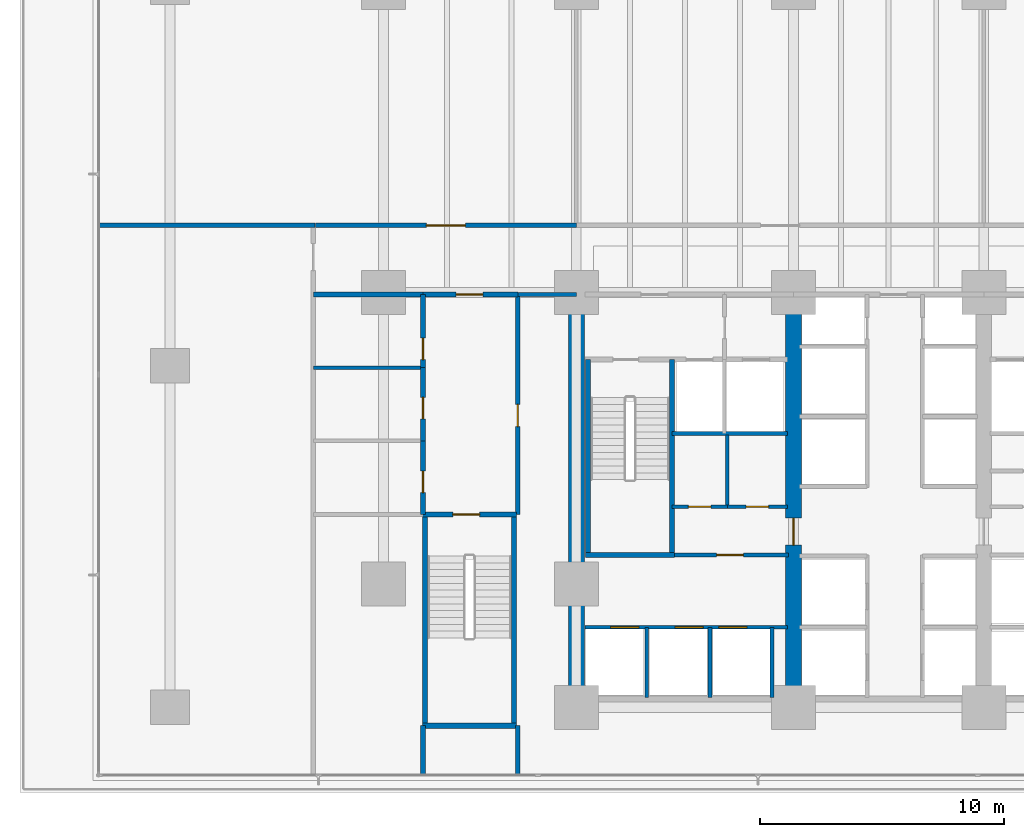
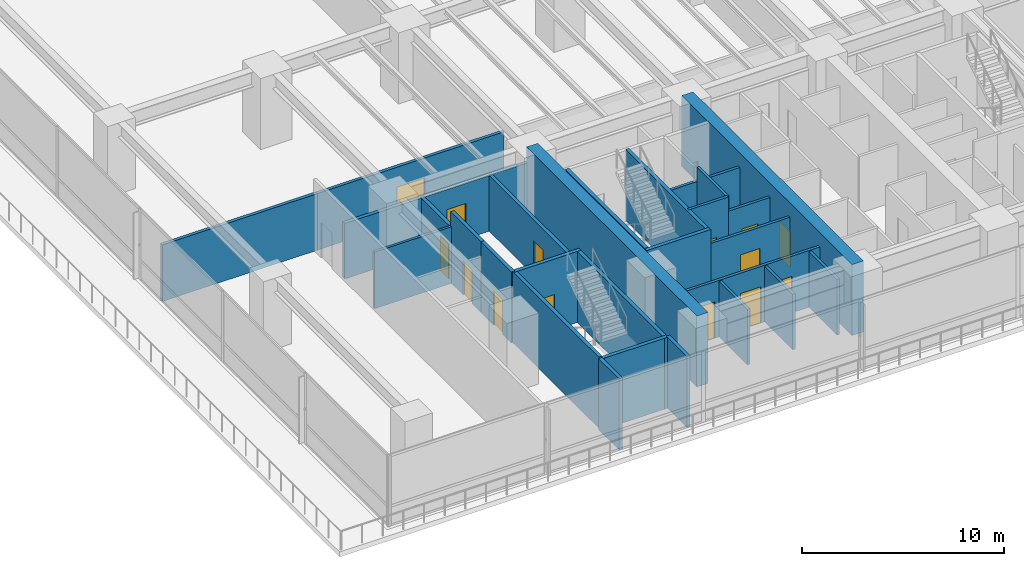
# One storey, part 10 of 28: 30 walls, 14 doors, 14 openings.
"""IFC4 building model written with IfcOpenShell, lengths in metres."""

from ifc_helpers import new_model, si_unit, direction, frame, frame_2d, origin, place, context, subcontext, project, spatial, rectangle, extrude, material, layer, layer_set, type_object, element, fill, save


model = new_model("IFC4")

# Units and contexts
model_context = context("Model", 3, precision=1e-05, world=origin(), true_north=direction((0.0, 1.0)))
body_context = subcontext(model_context, "Body", "Model", "MODEL_VIEW")
ifc_project = project(units=[si_unit("LENGTHUNIT", "METRE"), si_unit("AREAUNIT", "SQUARE_METRE"), si_unit("VOLUMEUNIT", "CUBIC_METRE"), si_unit("PLANEANGLEUNIT", "RADIAN"), si_unit("MASSUNIT", "GRAM", prefix="KILO")], contexts=[model_context])

# Site, building, storey
site_placement = place(None, origin())
site = spatial("IfcSite", under=ifc_project, at=site_placement, CompositionType="ELEMENT")
building_placement = place(site_placement, origin())
building = spatial("IfcBuilding", under=site, at=building_placement, Name="Qalmaran Belvedere Hotel", CompositionType="ELEMENT")
storey_placement = place(building_placement, frame((0.0, 0.0, 10.0)))
storey = spatial("IfcBuildingStorey", under=building, at=storey_placement, Name="L02", CompositionType="ELEMENT", Elevation=10.0)

# Wall
ifc_material_1 = material(Name="Concrete C60/75", Category="concrete")
ifc_layer_1 = layer(ifc_material_1, 0.64990234375, Name="Concrete C60/75")
ifc_layer_set_1 = layer_set([ifc_layer_1], Name="Concrete C60/75")
wall_type_1 = type_object("IfcWallType", Name="WL-CORE-650-C60", PredefinedType="SHEAR", material=ifc_layer_set_1)
wall_1_placement = place(storey_placement, frame((20.300048828125, 3.5, 0.0), z_axis=(0.0, 0.0, 1.0), x_axis=(0.0, 1.0, 0.0)))
element("IfcWall", 1, at=wall_1_placement, inside=storey, type_object=wall_type_1, Name="L02 West Core Shear Wall", PredefinedType="SHEAR", context=body_context, shape_type="SweptSolid", body=[
    extrude(rectangle(XDim=16.89990234375, YDim=0.64990234375, at=frame_2d((8.449951171875, 0.0))), origin(), (0.0, 0.0, 1.0), 4.300048828125),
])

# Wall, opening, door
wall_2_placement = place(storey_placement, frame((29.199951171875, 3.5, 0.0), z_axis=(0.0, 0.0, 1.0), x_axis=(0.0, 1.0, 0.0)))
wall_2 = element("IfcWall", 2, at=wall_2_placement, inside=storey, type_object=wall_type_1, Name="L02 Core West Spine Shear Wall", PredefinedType="SHEAR", context=body_context, shape_type="SweptSolid", body=[
    extrude(rectangle(XDim=16.89990234375, YDim=0.64990234375, at=frame_2d((8.449951171875, 0.0))), origin(), (0.0, 0.0, 1.0), 4.300048828125),
])
opening_1_placement = place(wall_2_placement, frame((7.75, 0.0, 0.0), z_axis=(0.0, 0.0, 1.0), x_axis=(-1.0, 0.0, 0.0)))
opening_1 = element("IfcOpeningElement", 3, at=opening_1_placement, cuts=wall_2, Name="Opening FD90", PredefinedType="OPENING", context=body_context, shape_type="SweptSolid", body=[
    extrude(rectangle(XDim=1.10009765625, YDim=2.14990234375, at=frame_2d((0.550048828125, 1.074951171875))), frame((0.0, 0.3349609375, 0.0), z_axis=(0.0, -1.0, 0.0), x_axis=(1.0, 0.0, 0.0)), (0.0, 0.0, 1.0), 0.669921875),
])
ifc_material_2 = material(Name="Steel S355JR", Category="steel")
door_type_1 = type_object("IfcDoorType", Name="DR-FD90-1100X2150", OperationType="NOTDEFINED", PredefinedType="DOOR", material=ifc_material_2)
door_1_placement = place(opening_1_placement, origin())
door_1 = element("IfcDoor", 4, at=door_1_placement, inside=storey, type_object=door_type_1, Name="L02 Core West Cross-Lobby Door", OperationType="SINGLE_SWING_RIGHT", OverallHeight=2.14990234375, OverallWidth=1.10009765625, PredefinedType="DOOR", context=body_context, shape_type="SweptSolid", body=[
    extrude(rectangle(XDim=1.10009765625, YDim=2.14990234375, at=frame_2d((0.550048828125, 1.074951171875))), frame((0.0, 0.02490234375, 0.0), z_axis=(0.0, -1.0, 0.0), x_axis=(1.0, 0.0, 0.0)), (0.0, 0.0, 1.0), 0.050048828125),
])
fill(opening_1, door_1)

# Walls
ifc_material_3 = material(Name="Gypsum Stud Partition")
ifc_layer_2 = layer(ifc_material_3, 0.139892578125, Name="Gypsum Stud Partition")
ifc_layer_set_2 = layer_set([ifc_layer_2], Name="Gypsum Stud Partition")
wall_type_2 = type_object("IfcWallType", Name="WL-INT-140-NR", PredefinedType="PARTITIONING", material=ifc_layer_set_2)
wall_3_placement = place(storey_placement, frame((9.52001953125, 17.419921875, 0.0), z_axis=(0.0, 0.0, 1.0), x_axis=(1.0, 0.0, 0.0)))
element("IfcWall", 5, at=wall_3_placement, inside=storey, type_object=wall_type_2, Name="L02 Partition WL-L02-WC2", PredefinedType="PARTITIONING", context=body_context, shape_type="SweptSolid", body=[
    extrude(rectangle(XDim=4.5, YDim=0.139892578125, at=frame_2d((2.25, 0.0))), origin(), (0.0, 0.0, 1.0), 3.429931640625),
])
ifc_layer_3 = layer(ifc_material_3, 0.14990234375, Name="Gypsum Stud Partition")
ifc_layer_set_3 = layer_set([ifc_layer_3], Name="Gypsum Stud Partition")
wall_type_3 = type_object("IfcWallType", Name="WL-INT-150-EI120", PredefinedType="PARTITIONING", material=ifc_layer_set_3)
for number, where, z_axis, x_axis, name in (
    (6, (23.179931640625, 3.89990234375, 0.0), (0.0, 0.0, 1.0), (0.0, 1.0, 0.0), "L02 Partition WL-POM1-L02"),
    (7, (25.780029296875, 3.89990234375, 0.0), (0.0, 0.0, 1.0), (0.0, 1.0, 0.0), "L02 Partition WL-POM2-L02"),
    (8, (28.320068359375, 3.89990234375, 0.0), (0.0, 0.0, 1.0), (0.0, 1.0, 0.0), "L02 Partition WL-POM3-L02"),
):
    element("IfcWall", number, at=place(storey_placement, frame(where, z_axis=z_axis, x_axis=x_axis)), inside=storey, type_object=wall_type_3, Name=name, PredefinedType="PARTITIONING", context=body_context, shape_type="SweptSolid", body=[
        extrude(rectangle(XDim=2.880126953125, YDim=0.14990234375, at=frame_2d((1.43994140625, 0.0))), origin(), (0.0, 0.0, 1.0), 3.364013671875),
    ])
ifc_layer_4 = layer(ifc_material_3, 0.14990234375, Name="Gypsum Stud Partition")
ifc_layer_set_4 = layer_set([ifc_layer_4], Name="Gypsum Stud Partition")
wall_type_4 = type_object("IfcWallType", Name="WL-INT-150-EI60", PredefinedType="PARTITIONING", material=ifc_layer_set_4)
wall_4_placement = place(storey_placement, frame((26.490478515625, 11.719970703125, 0.0), z_axis=(0.0, 0.0, 1.0), x_axis=(0.0, 1.0, 0.0)))
element("IfcWall", 9, at=wall_4_placement, inside=storey, type_object=wall_type_4, Name="L02 Partition WL-L02-KWV1", PredefinedType="PARTITIONING", context=body_context, shape_type="SweptSolid", body=[
    extrude(rectangle(XDim=2.929931640625, YDim=0.14990234375, at=frame_2d((1.46484375, 0.0))), origin(), (0.0, 0.0, 1.0), 4.300048828125),
])
ifc_layer_5 = layer(ifc_material_3, 0.159912109375, Name="Gypsum Stud Partition")
ifc_layer_set_5 = layer_set([ifc_layer_5], Name="Gypsum Stud Partition")
wall_type_5 = type_object("IfcWallType", Name="WL-INT-160-EI120", PredefinedType="PARTITIONING", material=ifc_layer_set_5)
wall_5_placement = place(storey_placement, frame((24.219970703125, 14.719970703125, 0.0), z_axis=(0.0, 0.0, 1.0), x_axis=(1.0, 0.0, 0.0)))
element("IfcWall", 10, at=wall_5_placement, inside=storey, type_object=wall_type_5, Name="L02 Partition WL-FF1S-L02", PredefinedType="PARTITIONING", context=body_context, shape_type="SweptSolid", body=[
    extrude(rectangle(XDim=4.72998046875, YDim=0.159912109375, at=frame_2d((2.364990234375, 0.0))), origin(), (0.0, 0.0, 1.0), 3.429931640625),
])

# Wall, openings, doors
wall_6_placement = place(storey_placement, frame((20.64990234375, 6.780029296875, 0.0), z_axis=(0.0, 0.0, 1.0), x_axis=(1.0, 0.0, 0.0)))
wall_6 = element("IfcWall", 11, at=wall_6_placement, inside=storey, type_object=wall_type_5, Name="L02 Partition WL-POS-L02", PredefinedType="PARTITIONING", context=body_context, shape_type="SweptSolid", body=[
    extrude(rectangle(XDim=8.300048828125, YDim=0.159912109375, at=frame_2d((4.14990234375, 0.0))), origin(), (0.0, 0.0, 1.0), 3.429931640625),
])
opening_2_placement = place(wall_6_placement, frame((3.69482421875, 0.0, 0.0)))
opening_2 = element("IfcOpeningElement", 12, at=opening_2_placement, cuts=wall_6, Name="Opening LD-PO", PredefinedType="OPENING", context=body_context, shape_type="SweptSolid", body=[
    extrude(rectangle(XDim=1.14990234375, YDim=2.199951171875, at=frame_2d((0.574951171875, 1.10009765625))), frame((0.0, 0.08984375, 0.0), z_axis=(0.0, -1.0, 0.0), x_axis=(1.0, 0.0, 0.0)), (0.0, 0.0, 1.0), 0.179931640625),
])
opening_3_placement = place(wall_6_placement, frame((5.4921875, 0.0, 0.0)))
opening_3 = element("IfcOpeningElement", 13, at=opening_3_placement, cuts=wall_6, Name="Opening LD-PO", PredefinedType="OPENING", context=body_context, shape_type="SweptSolid", body=[
    extrude(rectangle(XDim=1.14990234375, YDim=2.199951171875, at=frame_2d((0.574951171875, 1.10009765625))), frame((0.0, 0.08984375, 0.0), z_axis=(0.0, -1.0, 0.0), x_axis=(1.0, 0.0, 0.0)), (0.0, 0.0, 1.0), 0.179931640625),
])
opening_4_placement = place(wall_6_placement, frame((1.058837890625, 0.0, 0.0)))
opening_4 = element("IfcOpeningElement", 14, at=opening_4_placement, cuts=wall_6, Name="Opening LD-PO", PredefinedType="OPENING", context=body_context, shape_type="SweptSolid", body=[
    extrude(rectangle(XDim=1.14990234375, YDim=2.199951171875, at=frame_2d((0.574951171875, 1.10009765625))), frame((0.0, 0.08984375, 0.0), z_axis=(0.0, -1.0, 0.0), x_axis=(1.0, 0.0, 0.0)), (0.0, 0.0, 1.0), 0.179931640625),
])
ifc_material_4 = material(Name="Anodised Bronze Aluminium", Category="aluminium")
door_type_2 = type_object("IfcDoorType", Name="DR-LIFT-PO-1150X2200", OperationType="DOUBLE_DOOR_SLIDING", PredefinedType="DOOR", material=ifc_material_4)
door_2_placement = place(opening_2_placement, origin())
door_2 = element("IfcDoor", 15, at=door_2_placement, inside=storey, type_object=door_type_2, Name="L02 PO1 Shuttle Landing Door", OperationType="DOUBLE_DOOR_SLIDING", OverallHeight=2.199951171875, OverallWidth=1.14990234375, PredefinedType="DOOR", context=body_context, shape_type="SweptSolid", body=[
    extrude(rectangle(XDim=1.14990234375, YDim=2.199951171875, at=frame_2d((0.574951171875, 1.10009765625))), frame((0.0, 0.02490234375, 0.0), z_axis=(0.0, -1.0, 0.0), x_axis=(1.0, 0.0, 0.0)), (0.0, 0.0, 1.0), 0.050048828125),
])
fill(opening_2, door_2)
door_3_placement = place(opening_3_placement, origin())
door_3 = element("IfcDoor", 16, at=door_3_placement, inside=storey, type_object=door_type_2, Name="L02 PO2 Shuttle Landing Door", OperationType="DOUBLE_DOOR_SLIDING", OverallHeight=2.199951171875, OverallWidth=1.14990234375, PredefinedType="DOOR", context=body_context, shape_type="SweptSolid", body=[
    extrude(rectangle(XDim=1.14990234375, YDim=2.199951171875, at=frame_2d((0.574951171875, 1.10009765625))), frame((0.0, 0.02490234375, 0.0), z_axis=(0.0, -1.0, 0.0), x_axis=(1.0, 0.0, 0.0)), (0.0, 0.0, 1.0), 0.050048828125),
])
fill(opening_3, door_3)
door_4_placement = place(opening_4_placement, origin())
door_4 = element("IfcDoor", 17, at=door_4_placement, inside=storey, type_object=door_type_2, Name="L02 PO3 Shuttle Landing Door", OperationType="DOUBLE_DOOR_SLIDING", OverallHeight=2.199951171875, OverallWidth=1.14990234375, PredefinedType="DOOR", context=body_context, shape_type="SweptSolid", body=[
    extrude(rectangle(XDim=1.14990234375, YDim=2.199951171875, at=frame_2d((0.574951171875, 1.10009765625))), frame((0.0, 0.02490234375, 0.0), z_axis=(0.0, -1.0, 0.0), x_axis=(1.0, 0.0, 0.0)), (0.0, 0.0, 1.0), 0.050048828125),
])
fill(opening_4, door_4)

# Wall, opening, door
wall_7_placement = place(storey_placement, frame((24.199951171875, 9.739990234375, 0.0), z_axis=(0.0, 0.0, 1.0), x_axis=(1.0, 0.0, 0.0)))
wall_7 = element("IfcWall", 18, at=wall_7_placement, inside=storey, type_object=wall_type_5, Name="L02 Partition WL-PON-L02", PredefinedType="PARTITIONING", context=body_context, shape_type="SweptSolid", body=[
    extrude(rectangle(XDim=4.800048828125, YDim=0.159912109375, at=frame_2d((2.39990234375, 0.0))), origin(), (0.0, 0.0, 1.0), 3.429931640625),
])
opening_5_placement = place(wall_7_placement, frame((1.85009765625, 0.0, 0.0)))
opening_5 = element("IfcOpeningElement", 19, at=opening_5_placement, cuts=wall_7, Name="Opening FD90", PredefinedType="OPENING", context=body_context, shape_type="SweptSolid", body=[
    extrude(rectangle(XDim=1.10009765625, YDim=2.14990234375, at=frame_2d((0.550048828125, 1.074951171875))), frame((0.0, 0.08984375, 0.0), z_axis=(0.0, -1.0, 0.0), x_axis=(1.0, 0.0, 0.0)), (0.0, 0.0, 1.0), 0.179931640625),
])
door_5_placement = place(opening_5_placement, origin())
door_5 = element("IfcDoor", 20, at=door_5_placement, inside=storey, type_object=door_type_1, Name="L02 Shuttle Lobby Passage Door", OperationType="SINGLE_SWING_LEFT", OverallHeight=2.14990234375, OverallWidth=1.10009765625, PredefinedType="DOOR", context=body_context, shape_type="SweptSolid", body=[
    extrude(rectangle(XDim=1.10009765625, YDim=2.14990234375, at=frame_2d((0.550048828125, 1.074951171875))), frame((0.0, 0.02490234375, 0.0), z_axis=(0.0, -1.0, 0.0), x_axis=(1.0, 0.0, 0.0)), (0.0, 0.0, 1.0), 0.050048828125),
])
fill(opening_5, door_5)

ifc_layer_6 = layer(ifc_material_3, 0.159912109375, Name="Gypsum Stud Partition")
ifc_layer_set_6 = layer_set([ifc_layer_6], Name="Gypsum Stud Partition")
wall_type_6 = type_object("IfcWallType", Name="WL-INT-160-EI60", PredefinedType="PARTITIONING", material=ifc_layer_set_6)
wall_8_placement = place(storey_placement, frame((24.219970703125, 11.719970703125, 0.0), z_axis=(0.0, 0.0, 1.0), x_axis=(1.0, 0.0, 0.0)))
wall_8 = element("IfcWall", 21, at=wall_8_placement, inside=storey, type_object=wall_type_6, Name="L02 Partition WL-L02-KWE1", PredefinedType="PARTITIONING", context=body_context, shape_type="SweptSolid", body=[
    extrude(rectangle(XDim=2.2705078125, YDim=0.159912109375, at=frame_2d((1.13525390625, 0.0))), origin(), (0.0, 0.0, 1.0), 4.300048828125),
])
opening_6_placement = place(wall_8_placement, frame((0.67529296875, 0.0, 0.0)))
opening_6 = element("IfcOpeningElement", 22, at=opening_6_placement, cuts=wall_8, Name="Opening FD60S1", PredefinedType="OPENING", context=body_context, shape_type="SweptSolid", body=[
    extrude(rectangle(XDim=0.919921875, YDim=2.080078125, at=frame_2d((0.4599609375, 1.0400390625))), frame((0.0, 0.08984375, 0.0), z_axis=(0.0, -1.0, 0.0), x_axis=(1.0, 0.0, 0.0)), (0.0, 0.0, 1.0), 0.179931640625),
])
ifc_material_5 = material(Name="Engineered Oak Veneer")
door_type_3 = type_object("IfcDoorType", Name="DR-FD60S-920X2080", OperationType="NOTDEFINED", PredefinedType="DOOR", material=ifc_material_5)
door_6_placement = place(opening_6_placement, origin())
door_6 = element("IfcDoor", 23, at=door_6_placement, inside=storey, type_object=door_type_3, Name="L02 Telecom and IT Room Door", OperationType="SINGLE_SWING_LEFT", OverallHeight=2.080078125, OverallWidth=0.919921875, PredefinedType="DOOR", context=body_context, shape_type="SweptSolid", body=[
    extrude(rectangle(XDim=0.919921875, YDim=2.080078125, at=frame_2d((0.4599609375, 1.0400390625))), frame((0.0, 0.02490234375, 0.0), z_axis=(0.0, -1.0, 0.0), x_axis=(1.0, 0.0, 0.0)), (0.0, 0.0, 1.0), 0.050048828125),
])
fill(opening_6, door_6)

wall_9_placement = place(storey_placement, frame((26.490478515625, 11.719970703125, 0.0), z_axis=(0.0, 0.0, 1.0), x_axis=(1.0, 0.0, 0.0)))
wall_9 = element("IfcWall", 24, at=wall_9_placement, inside=storey, type_object=wall_type_6, Name="L02 Partition WL-L02-KWE2", PredefinedType="PARTITIONING", context=body_context, shape_type="SweptSolid", body=[
    extrude(rectangle(XDim=2.45947265625, YDim=0.159912109375, at=frame_2d((1.229736328125, 0.0))), origin(), (0.0, 0.0, 1.0), 3.429931640625),
])
opening_7_placement = place(wall_9_placement, frame((0.769775390625, 0.0, 0.0)))
opening_7 = element("IfcOpeningElement", 25, at=opening_7_placement, cuts=wall_9, Name="Opening FD60S1", PredefinedType="OPENING", context=body_context, shape_type="SweptSolid", body=[
    extrude(rectangle(XDim=0.919921875, YDim=2.080078125, at=frame_2d((0.4599609375, 1.0400390625))), frame((0.0, 0.08984375, 0.0), z_axis=(0.0, -1.0, 0.0), x_axis=(1.0, 0.0, 0.0)), (0.0, 0.0, 1.0), 0.179931640625),
])
door_7_placement = place(opening_7_placement, origin())
door_7 = element("IfcDoor", 26, at=door_7_placement, inside=storey, type_object=door_type_3, Name="L02 Cleaner Supply Store Door", OperationType="SINGLE_SWING_RIGHT", OverallHeight=2.080078125, OverallWidth=0.919921875, PredefinedType="DOOR", context=body_context, shape_type="SweptSolid", body=[
    extrude(rectangle(XDim=0.919921875, YDim=2.080078125, at=frame_2d((0.4599609375, 1.0400390625))), frame((0.0, 0.02490234375, 0.0), z_axis=(0.0, -1.0, 0.0), x_axis=(1.0, 0.0, 0.0)), (0.0, 0.0, 1.0), 0.050048828125),
])
fill(opening_7, door_7)

# Wall
ifc_layer_7 = layer(ifc_material_3, 0.179931640625, Name="Gypsum Stud Partition")
ifc_layer_set_7 = layer_set([ifc_layer_7], Name="Gypsum Stud Partition")
wall_type_7 = type_object("IfcWallType", Name="WL-INT-180-EI60", PredefinedType="PARTITIONING", material=ifc_layer_set_7)
wall_10_placement = place(storey_placement, frame((17.89990234375, 20.419921875, 0.0), z_axis=(0.0, 0.0, 1.0), x_axis=(1.0, 0.0, 0.0)))
element("IfcWall", 27, at=wall_10_placement, inside=storey, type_object=wall_type_7, Name="L02 Partition WL-L02-SFGN", PredefinedType="PARTITIONING", context=body_context, shape_type="SweptSolid", body=[
    extrude(rectangle(XDim=2.400146484375, YDim=0.179931640625, at=frame_2d((1.2001953125, 0.0))), origin(), (0.0, 0.0, 1.0), 3.364013671875),
])

# Wall, opening, door
wall_11_placement = place(storey_placement, frame((9.60009765625, 23.25, 0.0), z_axis=(0.0, 0.0, 1.0), x_axis=(1.0, 0.0, 0.0)))
wall_11 = element("IfcWall", 28, at=wall_11_placement, inside=storey, type_object=wall_type_7, Name="L02 Partition WL-L02-GND1", PredefinedType="PARTITIONING", context=body_context, shape_type="SweptSolid", body=[
    extrude(rectangle(XDim=10.699951171875, YDim=0.179931640625, at=frame_2d((5.35009765625, 0.0))), origin(), (0.0, 0.0, 1.0), 3.429931640625),
])
opening_8_placement = place(wall_11_placement, frame((4.550048828125, 0.0, 0.0)))
opening_8 = element("IfcOpeningElement", 29, at=opening_8_placement, cuts=wall_11, Name="Opening FD60D", PredefinedType="OPENING", context=body_context, shape_type="SweptSolid", body=[
    extrude(rectangle(XDim=1.60009765625, YDim=2.219970703125, at=frame_2d((0.800048828125, 1.10986328125))), frame((0.0, 0.10009765625, 0.0), z_axis=(0.0, -1.0, 0.0), x_axis=(1.0, 0.0, 0.0)), (0.0, 0.0, 1.0), 0.199951171875),
])
door_type_4 = type_object("IfcDoorType", Name="DR-FD60D-1600X2220", OperationType="NOTDEFINED", PredefinedType="DOOR", material=ifc_material_5)
door_8_placement = place(opening_8_placement, origin())
door_8 = element("IfcDoor", 30, at=door_8_placement, inside=storey, type_object=door_type_4, Name="L02 Ballroom Pre-Function Foyer Door", OperationType="DOUBLE_DOOR_SINGLE_SWING", OverallHeight=2.219970703125, OverallWidth=1.60009765625, PredefinedType="DOOR", context=body_context, shape_type="SweptSolid", body=[
    extrude(rectangle(XDim=1.60009765625, YDim=2.219970703125, at=frame_2d((0.800048828125, 1.10986328125))), frame((0.0, 0.02490234375, 0.0), z_axis=(0.0, -1.0, 0.0), x_axis=(1.0, 0.0, 0.0)), (0.0, 0.0, 1.0), 0.050048828125),
])
fill(opening_8, door_8)

# Wall
wall_12_placement = place(storey_placement, frame((0.719970703125, 23.25, 0.0), z_axis=(0.0, 0.0, 1.0), x_axis=(1.0, 0.0, 0.0)))
element("IfcWall", 31, at=wall_12_placement, inside=storey, type_object=wall_type_7, Name="L02 Partition WL-L02-GNW1", PredefinedType="PARTITIONING", context=body_context, shape_type="SweptSolid", body=[
    extrude(rectangle(XDim=8.880126953125, YDim=0.179931640625, at=frame_2d((4.43994140625, 0.0))), origin(), (0.0, 0.0, 1.0), 3.429931640625),
])

# Wall, opening, door
ifc_material_6 = material(Name="Concrete C30/37 Blockwork", Category="masonry")
ifc_layer_8 = layer(ifc_material_6, 0.199951171875, Name="Concrete C30/37 Blockwork")
ifc_layer_set_8 = layer_set([ifc_layer_8], Name="Concrete C30/37 Blockwork")
wall_type_8 = type_object("IfcWallType", Name="WL-INT-200-EI120", PredefinedType="PARTITIONING", material=ifc_layer_set_8)
wall_13_placement = place(storey_placement, frame((14.02001953125, 11.39990234375, 0.0), z_axis=(0.0, 0.0, 1.0), x_axis=(0.0, 1.0, 0.0)))
wall_13 = element("IfcWall", 32, at=wall_13_placement, inside=storey, type_object=wall_type_8, Name="L02 Partition WL-L02-STPWM", PredefinedType="PARTITIONING", context=body_context, shape_type="SweptSolid", body=[
    extrude(rectangle(XDim=3.02001953125, YDim=0.199951171875, at=frame_2d((1.510009765625, 0.0))), origin(), (0.0, 0.0, 1.0), 4.300048828125),
])
opening_9_placement = place(wall_13_placement, frame((0.89990234375, 0.0, 0.0)))
opening_9 = element("IfcOpeningElement", 33, at=opening_9_placement, cuts=wall_13, Name="Opening FD60B", PredefinedType="OPENING", context=body_context, shape_type="SweptSolid", body=[
    extrude(rectangle(XDim=0.8798828125, YDim=2.080078125, at=frame_2d((0.43994140625, 1.0400390625))), frame((0.0, 0.10986328125, 0.0), z_axis=(0.0, -1.0, 0.0), x_axis=(1.0, 0.0, 0.0)), (0.0, 0.0, 1.0), 0.219970703125),
])
door_type_5 = type_object("IfcDoorType", Name="DR-FD60B-880X2080", OperationType="NOTDEFINED", PredefinedType="DOOR", material=ifc_material_2)
door_9_placement = place(opening_9_placement, origin())
door_9 = element("IfcDoor", 34, at=door_9_placement, inside=storey, type_object=door_type_5, Name="L02 Male WC Door", OperationType="SINGLE_SWING_LEFT", OverallHeight=2.080078125, OverallWidth=0.8798828125, PredefinedType="DOOR", context=body_context, shape_type="SweptSolid", body=[
    extrude(rectangle(XDim=0.8798828125, YDim=2.080078125, at=frame_2d((0.43994140625, 1.0400390625))), frame((0.0, 0.02490234375, 0.0), z_axis=(0.0, -1.0, 0.0), x_axis=(1.0, 0.0, 0.0)), (0.0, 0.0, 1.0), 0.050048828125),
])
fill(opening_9, door_9)

wall_14_placement = place(storey_placement, frame((14.02001953125, 14.419921875, 0.0), z_axis=(0.0, 0.0, 1.0), x_axis=(0.0, 1.0, 0.0)))
wall_14 = element("IfcWall", 35, at=wall_14_placement, inside=storey, type_object=wall_type_8, Name="L02 Partition WL-L02-STPWF", PredefinedType="PARTITIONING", context=body_context, shape_type="SweptSolid", body=[
    extrude(rectangle(XDim=3.0, YDim=0.199951171875, at=frame_2d((1.5, 0.0))), origin(), (0.0, 0.0, 1.0), 4.300048828125),
])
opening_10_placement = place(wall_14_placement, frame((0.89990234375, 0.0, 0.0)))
opening_10 = element("IfcOpeningElement", 36, at=opening_10_placement, cuts=wall_14, Name="Opening FD60B", PredefinedType="OPENING", context=body_context, shape_type="SweptSolid", body=[
    extrude(rectangle(XDim=0.8798828125, YDim=2.080078125, at=frame_2d((0.43994140625, 1.0400390625))), frame((0.0, 0.10986328125, 0.0), z_axis=(0.0, -1.0, 0.0), x_axis=(1.0, 0.0, 0.0)), (0.0, 0.0, 1.0), 0.219970703125),
])
door_10_placement = place(opening_10_placement, origin())
door_10 = element("IfcDoor", 37, at=door_10_placement, inside=storey, type_object=door_type_5, Name="L02 Female WC Door", OperationType="SINGLE_SWING_RIGHT", OverallHeight=2.080078125, OverallWidth=0.8798828125, PredefinedType="DOOR", context=body_context, shape_type="SweptSolid", body=[
    extrude(rectangle(XDim=0.8798828125, YDim=2.080078125, at=frame_2d((0.43994140625, 1.0400390625))), frame((0.0, 0.02490234375, 0.0), z_axis=(0.0, -1.0, 0.0), x_axis=(1.0, 0.0, 0.0)), (0.0, 0.0, 1.0), 0.050048828125),
])
fill(opening_10, door_10)

wall_15_placement = place(storey_placement, frame((14.02001953125, 17.419921875, 0.0), z_axis=(0.0, 0.0, 1.0), x_axis=(0.0, 1.0, 0.0)))
wall_15 = element("IfcWall", 38, at=wall_15_placement, inside=storey, type_object=wall_type_8, Name="L02 Partition WL-L02-STPWA", PredefinedType="PARTITIONING", context=body_context, shape_type="SweptSolid", body=[
    extrude(rectangle(XDim=3.0, YDim=0.199951171875, at=frame_2d((1.5, 0.0))), origin(), (0.0, 0.0, 1.0), 3.364013671875),
])
opening_11_placement = place(wall_15_placement, frame((0.33203125, 0.0, 0.0)))
opening_11 = element("IfcOpeningElement", 39, at=opening_11_placement, cuts=wall_15, Name="Opening FD60B", PredefinedType="OPENING", context=body_context, shape_type="SweptSolid", body=[
    extrude(rectangle(XDim=0.8798828125, YDim=2.080078125, at=frame_2d((0.43994140625, 1.0400390625))), frame((0.0, 0.10986328125, 0.0), z_axis=(0.0, -1.0, 0.0), x_axis=(1.0, 0.0, 0.0)), (0.0, 0.0, 1.0), 0.219970703125),
])
door_11_placement = place(opening_11_placement, origin())
door_11 = element("IfcDoor", 40, at=door_11_placement, inside=storey, type_object=door_type_5, Name="L02 Accessible WC Door", OperationType="SINGLE_SWING_LEFT", OverallHeight=2.080078125, OverallWidth=0.8798828125, PredefinedType="DOOR", context=body_context, shape_type="SweptSolid", body=[
    extrude(rectangle(XDim=0.8798828125, YDim=2.080078125, at=frame_2d((0.43994140625, 1.0400390625))), frame((0.0, 0.02490234375, 0.0), z_axis=(0.0, -1.0, 0.0), x_axis=(1.0, 0.0, 0.0)), (0.0, 0.0, 1.0), 0.050048828125),
])
fill(opening_11, door_11)

# Wall
wall_16_placement = place(storey_placement, frame((14.02001953125, 0.719970703125, 0.0), z_axis=(0.0, 0.0, 1.0), x_axis=(0.0, 1.0, 0.0)))
element("IfcWall", 41, at=wall_16_placement, inside=storey, type_object=wall_type_8, Name="L02 Partition WL-L02-STPWS", PredefinedType="PARTITIONING", context=body_context, shape_type="SweptSolid", body=[
    extrude(rectangle(XDim=2.030029296875, YDim=0.199951171875, at=frame_2d((1.01513671875, 0.0))), origin(), (0.0, 0.0, 1.0), 4.300048828125),
])

# Wall, opening, door
wall_17_placement = place(storey_placement, frame((17.89990234375, 11.39990234375, 0.0), z_axis=(0.0, 0.0, 1.0), x_axis=(0.0, 1.0, 0.0)))
wall_17 = element("IfcWall", 42, at=wall_17_placement, inside=storey, type_object=wall_type_8, Name="L02 Partition WL-L02-STPW2", PredefinedType="PARTITIONING", context=body_context, shape_type="SweptSolid", body=[
    extrude(rectangle(XDim=9.02001953125, YDim=0.199951171875, at=frame_2d((4.510009765625, 0.0))), origin(), (0.0, 0.0, 1.0), 3.364013671875),
])
opening_12_placement = place(wall_17_placement, frame((4.52001953125, 0.0, 0.0), z_axis=(0.0, 0.0, 1.0), x_axis=(-1.0, 0.0, 0.0)))
opening_12 = element("IfcOpeningElement", 43, at=opening_12_placement, cuts=wall_17, Name="Opening FD60S1", PredefinedType="OPENING", context=body_context, shape_type="SweptSolid", body=[
    extrude(rectangle(XDim=0.919921875, YDim=2.080078125, at=frame_2d((0.4599609375, 1.0400390625))), frame((0.0, 0.10986328125, 0.0), z_axis=(0.0, -1.0, 0.0), x_axis=(1.0, 0.0, 0.0)), (0.0, 0.0, 1.0), 0.219970703125),
])
door_12_placement = place(opening_12_placement, origin())
door_12 = element("IfcDoor", 44, at=door_12_placement, inside=storey, type_object=door_type_3, Name="L02 South Foyer Door", OperationType="SINGLE_SWING_RIGHT", OverallHeight=2.080078125, OverallWidth=0.919921875, PredefinedType="DOOR", context=body_context, shape_type="SweptSolid", body=[
    extrude(rectangle(XDim=0.919921875, YDim=2.080078125, at=frame_2d((0.4599609375, 1.0400390625))), frame((0.0, 0.02490234375, 0.0), z_axis=(0.0, -1.0, 0.0), x_axis=(1.0, 0.0, 0.0)), (0.0, 0.0, 1.0), 0.050048828125),
])
fill(opening_12, door_12)

# Walls
wall_18_placement = place(storey_placement, frame((17.89990234375, 0.719970703125, 0.0), z_axis=(0.0, 0.0, 1.0), x_axis=(0.0, 1.0, 0.0)))
element("IfcWall", 45, at=wall_18_placement, inside=storey, type_object=wall_type_8, Name="L02 Partition WL-L02-STPW2S", PredefinedType="PARTITIONING", context=body_context, shape_type="SweptSolid", body=[
    extrude(rectangle(XDim=2.030029296875, YDim=0.199951171875, at=frame_2d((1.01513671875, 0.0))), origin(), (0.0, 0.0, 1.0), 4.300048828125),
])
wall_19_placement = place(storey_placement, frame((9.52001953125, 20.419921875, 0.0), z_axis=(0.0, 0.0, 1.0), x_axis=(1.0, 0.0, 0.0)))
element("IfcWall", 46, at=wall_19_placement, inside=storey, type_object=wall_type_8, Name="L02 Partition WL-L02-CSW1", PredefinedType="PARTITIONING", context=body_context, shape_type="SweptSolid", body=[
    extrude(rectangle(XDim=4.5, YDim=0.199951171875, at=frame_2d((2.25, 0.0))), origin(), (0.0, 0.0, 1.0), 3.364013671875),
])

# Wall, opening, door
wall_20_placement = place(storey_placement, frame((14.02001953125, 20.419921875, 0.0), z_axis=(0.0, 0.0, 1.0), x_axis=(1.0, 0.0, 0.0)))
wall_20 = element("IfcWall", 47, at=wall_20_placement, inside=storey, type_object=wall_type_8, Name="L02 Partition WL-L02-CSW2", PredefinedType="PARTITIONING", context=body_context, shape_type="SweptSolid", body=[
    extrude(rectangle(XDim=3.8798828125, YDim=0.199951171875, at=frame_2d((1.93994140625, 0.0))), origin(), (0.0, 0.0, 1.0), 3.364013671875),
])
opening_13_placement = place(wall_20_placement, frame((2.4501953125, 0.0, 0.0), z_axis=(0.0, 0.0, 1.0), x_axis=(-1.0, 0.0, 0.0)))
opening_13 = element("IfcOpeningElement", 48, at=opening_13_placement, cuts=wall_20, Name="Opening FD90", PredefinedType="OPENING", context=body_context, shape_type="SweptSolid", body=[
    extrude(rectangle(XDim=1.10009765625, YDim=2.14990234375, at=frame_2d((0.550048828125, 1.074951171875))), frame((0.0, 0.10986328125, 0.0), z_axis=(0.0, -1.0, 0.0), x_axis=(1.0, 0.0, 0.0)), (0.0, 0.0, 1.0), 0.219970703125),
])
door_13_placement = place(opening_13_placement, origin())
door_13 = element("IfcDoor", 49, at=door_13_placement, inside=storey, type_object=door_type_1, Name="L02 West Stair Corridor Door", OperationType="SINGLE_SWING_LEFT", OverallHeight=2.14990234375, OverallWidth=1.10009765625, PredefinedType="DOOR", context=body_context, shape_type="SweptSolid", body=[
    extrude(rectangle(XDim=1.10009765625, YDim=2.14990234375, at=frame_2d((0.550048828125, 1.074951171875))), frame((0.0, 0.02490234375, 0.0), z_axis=(0.0, -1.0, 0.0), x_axis=(1.0, 0.0, 0.0)), (0.0, 0.0, 1.0), 0.050048828125),
])
fill(opening_13, door_13)

# Walls
ifc_material_7 = material(Name="Concrete C50/60", Category="concrete")
ifc_layer_9 = layer(ifc_material_7, 0.2099609375, Name="Concrete C50/60")
ifc_layer_set_9 = layer_set([ifc_layer_9], Name="Concrete C50/60")
wall_type_9 = type_object("IfcWallType", Name="WL-STAIR-210-C50", PredefinedType="SHEAR", material=ifc_layer_set_9)
for number, where, z_axis, x_axis, name in (
    (50, (20.77490234375, 9.7451171875, 0.0), (0.0, 0.0, 1.0), (0.0, 1.0, 0.0), "L02 Stair ST-1 West Bearing Wall"),
    (51, (24.22509765625, 9.7451171875, 0.0), (0.0, 0.0, 1.0), (0.0, 1.0, 0.0), "L02 Stair ST-1 East Bearing Wall"),
):
    element("IfcWall", number, at=place(storey_placement, frame(where, z_axis=z_axis, x_axis=x_axis)), inside=storey, type_object=wall_type_9, Name=name, PredefinedType="SHEAR", context=body_context, shape_type="SweptSolid", body=[
        extrude(rectangle(XDim=8.009765625, YDim=0.2099609375, at=frame_2d((4.0048828125, 0.0))), origin(), (0.0, 0.0, 1.0), 4.300048828125),
    ])
wall_21_placement = place(storey_placement, frame((20.669921875, 9.7451171875, 0.0), z_axis=(0.0, 0.0, 1.0), x_axis=(1.0, 0.0, 0.0)))
element("IfcWall", 52, at=wall_21_placement, inside=storey, type_object=wall_type_9, Name="L02 Stair ST-1 South Bearing Wall", PredefinedType="SHEAR", context=body_context, shape_type="SweptSolid", body=[
    extrude(rectangle(XDim=3.66015625, YDim=0.2099609375, at=frame_2d((1.830078125, 0.0))), origin(), (0.0, 0.0, 1.0), 4.300048828125),
])
for number, where, z_axis, x_axis, name in (
    (53, (14.094970703125, 2.639892578125, 0.0), (0.0, 0.0, 1.0), (0.0, 1.0, 0.0), "L02 Podium Stair STP1 West Bearing Wall"),
    (54, (17.7451171875, 2.639892578125, 0.0), (0.0, 0.0, 1.0), (0.0, 1.0, 0.0), "L02 Podium Stair STP1 East Bearing Wall"),
):
    element("IfcWall", number, at=place(storey_placement, frame(where, z_axis=z_axis, x_axis=x_axis)), inside=storey, type_object=wall_type_9, Name=name, PredefinedType="SHEAR", context=body_context, shape_type="SweptSolid", body=[
        extrude(rectangle(XDim=8.8701171875, YDim=0.2099609375, at=frame_2d((4.43505859375, 0.0))), origin(), (0.0, 0.0, 1.0), 4.300048828125),
    ])
wall_22_placement = place(storey_placement, frame((13.989990234375, 2.7451171875, 0.0), z_axis=(0.0, 0.0, 1.0), x_axis=(1.0, 0.0, 0.0)))
element("IfcWall", 55, at=wall_22_placement, inside=storey, type_object=wall_type_9, Name="L02 Podium Stair STP1 South Bearing Wall", PredefinedType="SHEAR", context=body_context, shape_type="SweptSolid", body=[
    extrude(rectangle(XDim=3.860107421875, YDim=0.2099609375, at=frame_2d((1.93017578125, 0.0))), origin(), (0.0, 0.0, 1.0), 4.300048828125),
])

# Wall, opening, door
wall_23_placement = place(storey_placement, frame((13.989990234375, 11.405029296875, 0.0), z_axis=(0.0, 0.0, 1.0), x_axis=(1.0, 0.0, 0.0)))
wall_23 = element("IfcWall", 56, at=wall_23_placement, inside=storey, type_object=wall_type_9, Name="L02 Podium Stair STP1 North Bearing Wall", PredefinedType="SHEAR", context=body_context, shape_type="SweptSolid", body=[
    extrude(rectangle(XDim=3.860107421875, YDim=0.2099609375, at=frame_2d((1.93017578125, 0.0))), origin(), (0.0, 0.0, 1.0), 4.300048828125),
])
opening_14_placement = place(wall_23_placement, frame((2.35009765625, 0.0, 0.0), z_axis=(0.0, 0.0, 1.0), x_axis=(-1.0, 0.0, 0.0)))
opening_14 = element("IfcOpeningElement", 57, at=opening_14_placement, cuts=wall_23, Name="Opening FD90", PredefinedType="OPENING", context=body_context, shape_type="SweptSolid", body=[
    extrude(rectangle(XDim=1.10009765625, YDim=2.14990234375, at=frame_2d((0.550048828125, 1.074951171875))), frame((0.0, 0.114990234375, 0.0), z_axis=(0.0, -1.0, 0.0), x_axis=(1.0, 0.0, 0.0)), (0.0, 0.0, 1.0), 0.22998046875),
])
door_14_placement = place(opening_14_placement, origin())
door_14 = element("IfcDoor", 58, at=door_14_placement, inside=storey, type_object=door_type_1, Name="L02 Stair ST-P1 Door", OperationType="SINGLE_SWING_RIGHT", OverallHeight=2.14990234375, OverallWidth=1.10009765625, PredefinedType="DOOR", context=body_context, shape_type="SweptSolid", body=[
    extrude(rectangle(XDim=1.10009765625, YDim=2.14990234375, at=frame_2d((0.550048828125, 1.074951171875))), frame((0.0, 0.02490234375, 0.0), z_axis=(0.0, -1.0, 0.0), x_axis=(1.0, 0.0, 0.0)), (0.0, 0.0, 1.0), 0.050048828125),
])
fill(opening_14, door_14)

save(model, "model.ifc")
